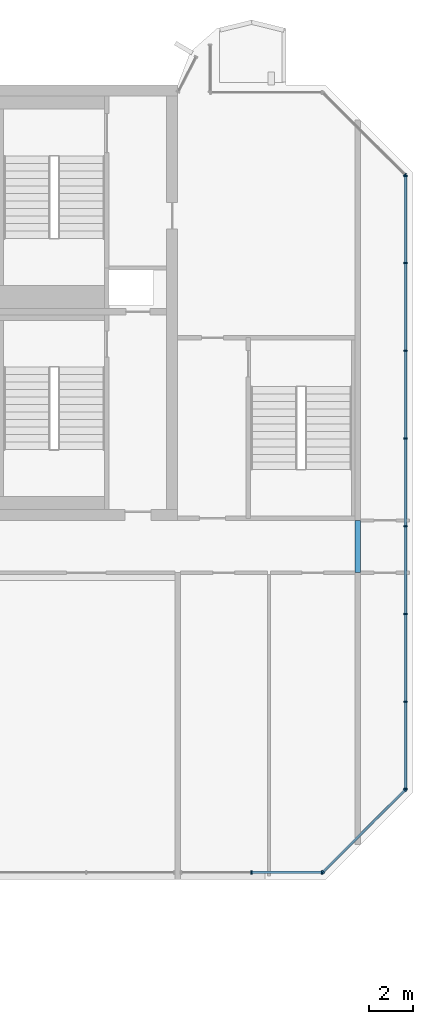
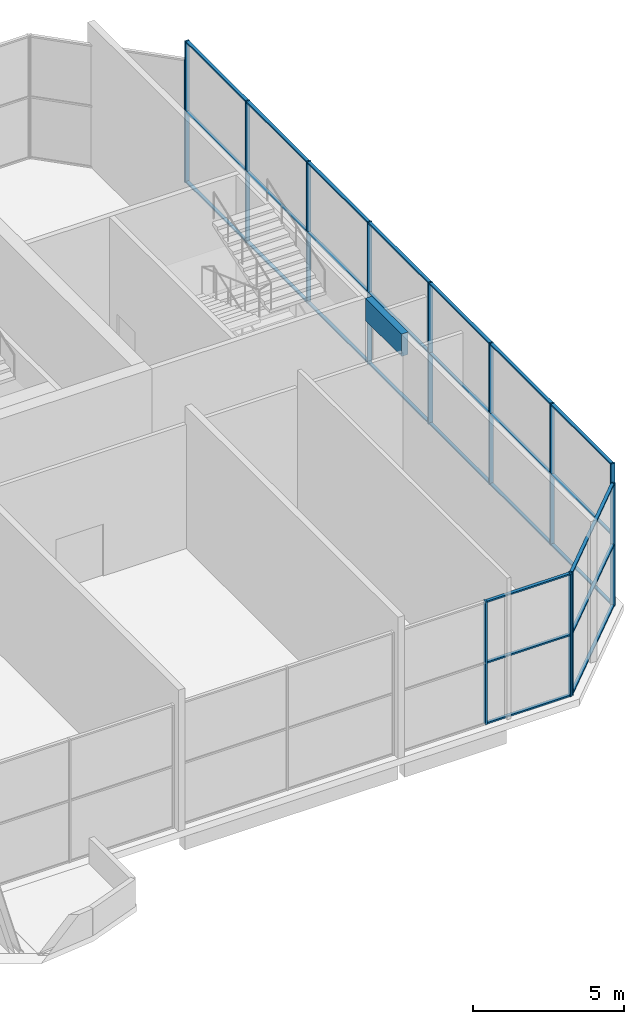
# One storey, part 8 of 17: 40 members, 1 beam, 4 elements without a shape of their own.
"""IFC4 building model written with IfcOpenShell, lengths in metres."""

from ifc_helpers import new_model, si_unit, direction, frame, origin, origin_2d, place, context, subcontext, project, spatial, rectangle, extrude, source, transform, mapped, material, material_profile, profile_set, type_object, element, aggregate, save


model = new_model("IFC4")

# Units and contexts
model_context = context("Model", 3, precision=1e-05, world=origin(), true_north=direction((0.0, 1.0)))
body_context = subcontext(model_context, "Body", "Model", "MODEL_VIEW")
ifc_project = project(units=[si_unit("LENGTHUNIT", "METRE"), si_unit("AREAUNIT", "SQUARE_METRE"), si_unit("VOLUMEUNIT", "CUBIC_METRE"), si_unit("PLANEANGLEUNIT", "RADIAN"), si_unit("MASSUNIT", "GRAM", prefix="KILO")], contexts=[model_context])

# Site, building, storey
site_placement = place(None, origin())
site = spatial("IfcSite", under=ifc_project, at=site_placement, CompositionType="ELEMENT")
building_placement = place(site_placement, origin())
building = spatial("IfcBuilding", under=site, at=building_placement, Name="Vanashikhar Sky Hotel", CompositionType="ELEMENT")
storey_placement = place(building_placement, frame((0.0, 0.0, 323.699951171875)))
storey = spatial("IfcBuildingStorey", under=building, at=storey_placement, Name="L77", CompositionType="ELEMENT", Elevation=323.699951171875)

# Beam
ifc_material_1 = material(Name="Concrete M50", Category="concrete")
ifc_material_profile_1 = material_profile(ifc_material_1, rectangle(XDim=0.25, YDim=0.89990234375, at=origin_2d()))
ifc_profile_set_1 = profile_set([ifc_material_profile_1], Name="RC 250x900 beam Concrete M50")
beam_type = type_object("IfcBeamType", Name="RC 250x900 beam Concrete M50", PredefinedType="LINTEL", material=ifc_profile_set_1)
shared_shape_1 = source(origin(), body_context, "Body", "SweptSolid", [
    extrude(rectangle(XDim=0.25, YDim=0.89990234375, at=origin_2d()), origin(), (0.0, 0.0, 1.0), 2.39990234375),
])
beam_placement = place(storey_placement, frame((83.875, 19.60009765625, 5.27001953125), z_axis=(0.0, 1.0, 0.0), x_axis=(-1.0, 0.0, 0.0)))
element("IfcBeam", 1, at=beam_placement, inside=storey, type_object=beam_type, Name="LB-L77-XW11", PredefinedType="LINTEL", context=body_context, shape_type="MappedRepresentation", body=[
    mapped(shared_shape_1, transform((0.0, 0.0, 0.0), scale=1.0)),
])

# Curtain wall, members
ifc_material_2 = material(Name="Glass", Category="glass")
curtain_wall_type = type_object("IfcCurtainWallType", Name="Sky restaurant glazing", PredefinedType="NOTDEFINED", material=ifc_material_2)
curtain_wall_1_placement = place(storey_placement, origin())
curtain_wall_1 = element("IfcCurtainWall", 2, at=curtain_wall_1_placement, inside=storey, type_object=curtain_wall_type, Name="Sky restaurant glazing", PredefinedType="NOTDEFINED")
ifc_material_3 = material(Name="Aluminium 6063-T6", Category="aluminium")
ifc_material_profile_2 = material_profile(ifc_material_3, rectangle(XDim=0.159912109375, YDim=0.06005859375, at=origin_2d()))
ifc_profile_set_2 = profile_set([ifc_material_profile_2], Name="Aluminium 6063-T6")
member_type_1 = type_object("IfcMemberType", Name="Sky restaurant mullion 60 x 160", PredefinedType="MULLION", material=ifc_profile_set_2)
shared_shape_2 = source(origin(), body_context, "Body", "SweptSolid", [
    extrude(rectangle(XDim=0.159912109375, YDim=0.06005859375, at=origin_2d()), origin(), (0.0, 0.0, 1.0), 4.969970703125),
])
member_1_placement = place(storey_placement, frame((78.9951171875, 5.824951171875, 0.0), z_axis=(0.0, 0.0, 1.0), x_axis=(0.0, 1.0, 0.0)))
member_1 = element("IfcMember", 3, at=member_1_placement, type_object=member_type_1, Name="CW-5 mullion 2", PredefinedType="MULLION", context=body_context, shape_type="MappedRepresentation", body=[
    mapped(shared_shape_2, transform((0.0, 0.0, 0.0), scale=1.0)),
])
member_2_placement = place(storey_placement, frame((82.2353515625, 5.824951171875, 0.0), z_axis=(0.0, 0.0, 1.0), x_axis=(0.0, 1.0, 0.0)))
member_2 = element("IfcMember", 4, at=member_2_placement, type_object=member_type_1, Name="CW-5 mullion 3", PredefinedType="MULLION", context=body_context, shape_type="MappedRepresentation", body=[
    mapped(shared_shape_2, transform((0.0, 0.0, 0.0), scale=1.0)),
])

curtain_wall_2_placement = place(storey_placement, origin())
curtain_wall_2 = element("IfcCurtainWall", 5, at=curtain_wall_2_placement, inside=storey, type_object=curtain_wall_type, Name="Sky restaurant glazing", PredefinedType="NOTDEFINED")
member_3_placement = place(storey_placement, frame((82.28662109375, 5.84619140625, 0.0), z_axis=(0.0, 0.0, 1.0), x_axis=(-0.707106781187, 0.707106781187, 0.0)))
member_3 = element("IfcMember", 6, at=member_3_placement, type_object=member_type_1, Name="CW-5 mullion 1", PredefinedType="MULLION", context=body_context, shape_type="MappedRepresentation", body=[
    mapped(shared_shape_2, transform((0.0, 0.0, 0.0), scale=1.0)),
])
member_4_placement = place(storey_placement, frame((86.0537109375, 9.61328125, 0.0), z_axis=(0.0, 0.0, 1.0), x_axis=(-0.707106781187, 0.707106781187, 0.0)))
member_4 = element("IfcMember", 7, at=member_4_placement, type_object=member_type_1, Name="CW-5 mullion 2", PredefinedType="MULLION", context=body_context, shape_type="MappedRepresentation", body=[
    mapped(shared_shape_2, transform((0.0, 0.0, 0.0), scale=1.0)),
])

# Curtain wall, member
curtain_wall_3_placement = place(storey_placement, origin())
curtain_wall_3 = element("IfcCurtainWall", 8, at=curtain_wall_3_placement, inside=storey, type_object=curtain_wall_type, Name="Sky restaurant glazing", PredefinedType="NOTDEFINED")
member_5_placement = place(storey_placement, frame((86.0537109375, 37.88671875, 0.0), z_axis=(0.0, 0.0, 1.0), x_axis=(-0.707106781187, -0.707106781187, 0.0)))
member_5 = element("IfcMember", 9, at=member_5_placement, type_object=member_type_1, Name="CW-5 mullion 1", PredefinedType="MULLION", context=body_context, shape_type="MappedRepresentation", body=[
    mapped(shared_shape_2, transform((0.0, 0.0, 0.0), scale=1.0)),
])
aggregate(curtain_wall_3, [member_5])

# Member
ifc_material_profile_3 = material_profile(ifc_material_3, rectangle(XDim=0.1201171875, YDim=0.06005859375, at=origin_2d()))
ifc_profile_set_3 = profile_set([ifc_material_profile_3], Name="Aluminium 6063-T6")
member_type_2 = type_object("IfcMemberType", Name="Sky restaurant transom 60 x 120", PredefinedType="USERDEFINED", material=ifc_profile_set_3)
shared_shape_3 = source(origin(), body_context, "Body", "SweptSolid", [
    extrude(rectangle(XDim=0.1201171875, YDim=0.06005859375, at=origin_2d()), origin(), (0.0, 0.0, 1.0), 3.18017578125),
])
member_6_placement = place(storey_placement, frame((79.025146484375, 5.824951171875, 0.030029296875), z_axis=(1.0, 0.0, 0.0), x_axis=(0.0, 1.0, 0.0)))
member_6 = element("IfcMember", 10, at=member_6_placement, type_object=member_type_2, Name="CW-5 transom 2.1", ObjectType="TRANSOM", PredefinedType="USERDEFINED", context=body_context, shape_type="MappedRepresentation", body=[
    mapped(shared_shape_3, transform((0.0, 0.0, 0.0), scale=1.0)),
])

member_7_placement = place(storey_placement, frame((79.025146484375, 5.824951171875, 2.485107421875), z_axis=(1.0, 0.0, 0.0), x_axis=(0.0, 1.0, 0.0)))
member_7 = element("IfcMember", 11, at=member_7_placement, type_object=member_type_2, Name="CW-5 transom 2.2", ObjectType="TRANSOM", PredefinedType="USERDEFINED", context=body_context, shape_type="MappedRepresentation", body=[
    mapped(shared_shape_3, transform((0.0, 0.0, 0.0), scale=1.0)),
])

member_8_placement = place(storey_placement, frame((79.025146484375, 5.824951171875, 4.93994140625), z_axis=(1.0, 0.0, 0.0), x_axis=(0.0, 1.0, 0.0)))
member_8 = element("IfcMember", 12, at=member_8_placement, type_object=member_type_2, Name="CW-5 transom 2.3", ObjectType="TRANSOM", PredefinedType="USERDEFINED", context=body_context, shape_type="MappedRepresentation", body=[
    mapped(shared_shape_3, transform((0.0, 0.0, 0.0), scale=1.0)),
])

aggregate(curtain_wall_1, [member_1, member_2, member_6, member_7, member_8])

# Curtain wall, members
curtain_wall_4_placement = place(storey_placement, origin())
curtain_wall_4 = element("IfcCurtainWall", 13, at=curtain_wall_4_placement, inside=storey, type_object=curtain_wall_type, Name="Sky restaurant glazing", PredefinedType="NOTDEFINED")
shared_shape_4 = source(origin(), body_context, "Body", "SweptSolid", [
    extrude(rectangle(XDim=0.159912109375, YDim=0.06005859375, at=origin_2d()), origin(), (0.0, 0.0, 1.0), 5.719970703125),
])
member_9_placement = place(storey_placement, frame((86.074951171875, 9.66455078125, 0.0), z_axis=(0.0, 0.0, 1.0), x_axis=(-1.0, 0.0, 0.0)))
member_9 = element("IfcMember", 14, at=member_9_placement, type_object=member_type_1, Name="CW-5 mullion 1", PredefinedType="MULLION", context=body_context, shape_type="MappedRepresentation", body=[
    mapped(shared_shape_4, transform((0.0, 0.0, 0.0), scale=1.0)),
])
member_10_placement = place(storey_placement, frame((86.074951171875, 13.66748046875, 0.0), z_axis=(0.0, 0.0, 1.0), x_axis=(-1.0, 0.0, 0.0)))
member_10 = element("IfcMember", 15, at=member_10_placement, type_object=member_type_1, Name="CW-5 mullion 2", PredefinedType="MULLION", context=body_context, shape_type="MappedRepresentation", body=[
    mapped(shared_shape_4, transform((0.0, 0.0, 0.0), scale=1.0)),
])
member_11_placement = place(storey_placement, frame((86.074951171875, 17.700439453125, 0.0), z_axis=(0.0, 0.0, 1.0), x_axis=(-1.0, 0.0, 0.0)))
member_11 = element("IfcMember", 16, at=member_11_placement, type_object=member_type_1, Name="CW-5 mullion 3", PredefinedType="MULLION", context=body_context, shape_type="MappedRepresentation", body=[
    mapped(shared_shape_4, transform((0.0, 0.0, 0.0), scale=1.0)),
])
member_12_placement = place(storey_placement, frame((86.074951171875, 21.7333984375, 0.0), z_axis=(0.0, 0.0, 1.0), x_axis=(-1.0, 0.0, 0.0)))
member_12 = element("IfcMember", 17, at=member_12_placement, type_object=member_type_1, Name="CW-5 mullion 4", PredefinedType="MULLION", context=body_context, shape_type="MappedRepresentation", body=[
    mapped(shared_shape_4, transform((0.0, 0.0, 0.0), scale=1.0)),
])
member_13_placement = place(storey_placement, frame((86.074951171875, 25.7666015625, 0.0), z_axis=(0.0, 0.0, 1.0), x_axis=(-1.0, 0.0, 0.0)))
member_13 = element("IfcMember", 18, at=member_13_placement, type_object=member_type_1, Name="CW-5 mullion 5", PredefinedType="MULLION", context=body_context, shape_type="MappedRepresentation", body=[
    mapped(shared_shape_4, transform((0.0, 0.0, 0.0), scale=1.0)),
])
member_14_placement = place(storey_placement, frame((86.074951171875, 29.799560546875, 0.0), z_axis=(0.0, 0.0, 1.0), x_axis=(-1.0, 0.0, 0.0)))
member_14 = element("IfcMember", 19, at=member_14_placement, type_object=member_type_1, Name="CW-5 mullion 6", PredefinedType="MULLION", context=body_context, shape_type="MappedRepresentation", body=[
    mapped(shared_shape_4, transform((0.0, 0.0, 0.0), scale=1.0)),
])
member_15_placement = place(storey_placement, frame((86.074951171875, 33.83251953125, 0.0), z_axis=(0.0, 0.0, 1.0), x_axis=(-1.0, 0.0, 0.0)))
member_15 = element("IfcMember", 20, at=member_15_placement, type_object=member_type_1, Name="CW-5 mullion 7", PredefinedType="MULLION", context=body_context, shape_type="MappedRepresentation", body=[
    mapped(shared_shape_4, transform((0.0, 0.0, 0.0), scale=1.0)),
])
member_16_placement = place(storey_placement, frame((86.074951171875, 37.83544921875, 0.0), z_axis=(0.0, 0.0, 1.0), x_axis=(-1.0, 0.0, 0.0)))
member_16 = element("IfcMember", 21, at=member_16_placement, type_object=member_type_1, Name="CW-5 mullion 8", PredefinedType="MULLION", context=body_context, shape_type="MappedRepresentation", body=[
    mapped(shared_shape_4, transform((0.0, 0.0, 0.0), scale=1.0)),
])

# Member
shared_shape_5 = source(origin(), body_context, "Body", "SweptSolid", [
    extrude(rectangle(XDim=0.1201171875, YDim=0.06005859375, at=origin_2d()), origin(), (0.0, 0.0, 1.0), 5.267578125),
])
member_17_placement = place(storey_placement, frame((82.307861328125, 5.867431640625, 0.030029296875), z_axis=(0.707083606855, 0.707129954758, 0.0), x_axis=(-0.707129954758, 0.707083606855, 0.0)))
member_17 = element("IfcMember", 22, at=member_17_placement, type_object=member_type_2, Name="CW-5 transom 1.1", ObjectType="TRANSOM", PredefinedType="USERDEFINED", context=body_context, shape_type="MappedRepresentation", body=[
    mapped(shared_shape_5, transform((0.0, 0.0, 0.0), scale=1.0)),
])

member_18_placement = place(storey_placement, frame((82.307861328125, 5.867431640625, 2.485107421875), z_axis=(0.707083606855, 0.707129954758, 0.0), x_axis=(-0.707129954758, 0.707083606855, 0.0)))
member_18 = element("IfcMember", 23, at=member_18_placement, type_object=member_type_2, Name="CW-5 transom 1.2", ObjectType="TRANSOM", PredefinedType="USERDEFINED", context=body_context, shape_type="MappedRepresentation", body=[
    mapped(shared_shape_5, transform((0.0, 0.0, 0.0), scale=1.0)),
])

member_19_placement = place(storey_placement, frame((82.307861328125, 5.867431640625, 4.93994140625), z_axis=(0.707083606855, 0.707129954758, 0.0), x_axis=(-0.707129954758, 0.707083606855, 0.0)))
member_19 = element("IfcMember", 24, at=member_19_placement, type_object=member_type_2, Name="CW-5 transom 1.3", ObjectType="TRANSOM", PredefinedType="USERDEFINED", context=body_context, shape_type="MappedRepresentation", body=[
    mapped(shared_shape_5, transform((0.0, 0.0, 0.0), scale=1.0)),
])

aggregate(curtain_wall_2, [member_3, member_4, member_17, member_18, member_19])

shared_shape_6 = source(origin(), body_context, "Body", "SweptSolid", [
    extrude(rectangle(XDim=0.1201171875, YDim=0.06005859375, at=origin_2d()), origin(), (0.0, 0.0, 1.0), 3.94287109375),
])
member_20_placement = place(storey_placement, frame((86.074951171875, 9.694580078125, 0.030029296875), z_axis=(0.0, 1.0, 0.0), x_axis=(-1.0, 0.0, 0.0)))
member_20 = element("IfcMember", 25, at=member_20_placement, type_object=member_type_2, Name="CW-5 transom 1.1", ObjectType="TRANSOM", PredefinedType="USERDEFINED", context=body_context, shape_type="MappedRepresentation", body=[
    mapped(shared_shape_6, transform((0.0, 0.0, 0.0), scale=1.0)),
])

member_21_placement = place(storey_placement, frame((86.074951171875, 9.694580078125, 2.860107421875), z_axis=(0.0, 1.0, 0.0), x_axis=(-1.0, 0.0, 0.0)))
member_21 = element("IfcMember", 26, at=member_21_placement, type_object=member_type_2, Name="CW-5 transom 1.2", ObjectType="TRANSOM", PredefinedType="USERDEFINED", context=body_context, shape_type="MappedRepresentation", body=[
    mapped(shared_shape_6, transform((0.0, 0.0, 0.0), scale=1.0)),
])

member_22_placement = place(storey_placement, frame((86.074951171875, 9.694580078125, 5.68994140625), z_axis=(0.0, 1.0, 0.0), x_axis=(-1.0, 0.0, 0.0)))
member_22 = element("IfcMember", 27, at=member_22_placement, type_object=member_type_2, Name="CW-5 transom 1.3", ObjectType="TRANSOM", PredefinedType="USERDEFINED", context=body_context, shape_type="MappedRepresentation", body=[
    mapped(shared_shape_6, transform((0.0, 0.0, 0.0), scale=1.0)),
])

member_23_placement = place(storey_placement, frame((86.074951171875, 33.862548828125, 0.030029296875), z_axis=(0.0, 1.0, 0.0), x_axis=(-1.0, 0.0, 0.0)))
member_23 = element("IfcMember", 28, at=member_23_placement, type_object=member_type_2, Name="CW-5 transom 7.1", ObjectType="TRANSOM", PredefinedType="USERDEFINED", context=body_context, shape_type="MappedRepresentation", body=[
    mapped(shared_shape_6, transform((0.0, 0.0, 0.0), scale=1.0)),
])

member_24_placement = place(storey_placement, frame((86.074951171875, 33.862548828125, 2.860107421875), z_axis=(0.0, 1.0, 0.0), x_axis=(-1.0, 0.0, 0.0)))
member_24 = element("IfcMember", 29, at=member_24_placement, type_object=member_type_2, Name="CW-5 transom 7.2", ObjectType="TRANSOM", PredefinedType="USERDEFINED", context=body_context, shape_type="MappedRepresentation", body=[
    mapped(shared_shape_6, transform((0.0, 0.0, 0.0), scale=1.0)),
])

member_25_placement = place(storey_placement, frame((86.074951171875, 33.862548828125, 5.68994140625), z_axis=(0.0, 1.0, 0.0), x_axis=(-1.0, 0.0, 0.0)))
member_25 = element("IfcMember", 30, at=member_25_placement, type_object=member_type_2, Name="CW-5 transom 7.3", ObjectType="TRANSOM", PredefinedType="USERDEFINED", context=body_context, shape_type="MappedRepresentation", body=[
    mapped(shared_shape_6, transform((0.0, 0.0, 0.0), scale=1.0)),
])

shared_shape_7 = source(origin(), body_context, "Body", "SweptSolid", [
    extrude(rectangle(XDim=0.1201171875, YDim=0.06005859375, at=origin_2d()), origin(), (0.0, 0.0, 1.0), 3.97314453125),
])
member_26_placement = place(storey_placement, frame((86.074951171875, 13.697509765625, 0.030029296875), z_axis=(0.0, 1.0, 0.0), x_axis=(-1.0, 0.0, 0.0)))
member_26 = element("IfcMember", 31, at=member_26_placement, type_object=member_type_2, Name="CW-5 transom 2.1", ObjectType="TRANSOM", PredefinedType="USERDEFINED", context=body_context, shape_type="MappedRepresentation", body=[
    mapped(shared_shape_7, transform((0.0, 0.0, 0.0), scale=1.0)),
])

member_27_placement = place(storey_placement, frame((86.074951171875, 13.697509765625, 2.860107421875), z_axis=(0.0, 1.0, 0.0), x_axis=(-1.0, 0.0, 0.0)))
member_27 = element("IfcMember", 32, at=member_27_placement, type_object=member_type_2, Name="CW-5 transom 2.2", ObjectType="TRANSOM", PredefinedType="USERDEFINED", context=body_context, shape_type="MappedRepresentation", body=[
    mapped(shared_shape_7, transform((0.0, 0.0, 0.0), scale=1.0)),
])

member_28_placement = place(storey_placement, frame((86.074951171875, 13.697509765625, 5.68994140625), z_axis=(0.0, 1.0, 0.0), x_axis=(-1.0, 0.0, 0.0)))
member_28 = element("IfcMember", 33, at=member_28_placement, type_object=member_type_2, Name="CW-5 transom 2.3", ObjectType="TRANSOM", PredefinedType="USERDEFINED", context=body_context, shape_type="MappedRepresentation", body=[
    mapped(shared_shape_7, transform((0.0, 0.0, 0.0), scale=1.0)),
])

member_29_placement = place(storey_placement, frame((86.074951171875, 17.73046875, 0.030029296875), z_axis=(0.0, 1.0, 0.0), x_axis=(-1.0, 0.0, 0.0)))
member_29 = element("IfcMember", 34, at=member_29_placement, type_object=member_type_2, Name="CW-5 transom 3.1", ObjectType="TRANSOM", PredefinedType="USERDEFINED", context=body_context, shape_type="MappedRepresentation", body=[
    mapped(shared_shape_7, transform((0.0, 0.0, 0.0), scale=1.0)),
])

member_30_placement = place(storey_placement, frame((86.074951171875, 17.73046875, 2.860107421875), z_axis=(0.0, 1.0, 0.0), x_axis=(-1.0, 0.0, 0.0)))
member_30 = element("IfcMember", 35, at=member_30_placement, type_object=member_type_2, Name="CW-5 transom 3.2", ObjectType="TRANSOM", PredefinedType="USERDEFINED", context=body_context, shape_type="MappedRepresentation", body=[
    mapped(shared_shape_7, transform((0.0, 0.0, 0.0), scale=1.0)),
])

member_31_placement = place(storey_placement, frame((86.074951171875, 17.73046875, 5.68994140625), z_axis=(0.0, 1.0, 0.0), x_axis=(-1.0, 0.0, 0.0)))
member_31 = element("IfcMember", 36, at=member_31_placement, type_object=member_type_2, Name="CW-5 transom 3.3", ObjectType="TRANSOM", PredefinedType="USERDEFINED", context=body_context, shape_type="MappedRepresentation", body=[
    mapped(shared_shape_7, transform((0.0, 0.0, 0.0), scale=1.0)),
])

member_32_placement = place(storey_placement, frame((86.074951171875, 21.763427734375, 0.030029296875), z_axis=(0.0, 1.0, 0.0), x_axis=(-1.0, 0.0, 0.0)))
member_32 = element("IfcMember", 37, at=member_32_placement, type_object=member_type_2, Name="CW-5 transom 4.1", ObjectType="TRANSOM", PredefinedType="USERDEFINED", context=body_context, shape_type="MappedRepresentation", body=[
    mapped(shared_shape_7, transform((0.0, 0.0, 0.0), scale=1.0)),
])

member_33_placement = place(storey_placement, frame((86.074951171875, 21.763427734375, 2.860107421875), z_axis=(0.0, 1.0, 0.0), x_axis=(-1.0, 0.0, 0.0)))
member_33 = element("IfcMember", 38, at=member_33_placement, type_object=member_type_2, Name="CW-5 transom 4.2", ObjectType="TRANSOM", PredefinedType="USERDEFINED", context=body_context, shape_type="MappedRepresentation", body=[
    mapped(shared_shape_7, transform((0.0, 0.0, 0.0), scale=1.0)),
])

member_34_placement = place(storey_placement, frame((86.074951171875, 21.763427734375, 5.68994140625), z_axis=(0.0, 1.0, 0.0), x_axis=(-1.0, 0.0, 0.0)))
member_34 = element("IfcMember", 39, at=member_34_placement, type_object=member_type_2, Name="CW-5 transom 4.3", ObjectType="TRANSOM", PredefinedType="USERDEFINED", context=body_context, shape_type="MappedRepresentation", body=[
    mapped(shared_shape_7, transform((0.0, 0.0, 0.0), scale=1.0)),
])

member_35_placement = place(storey_placement, frame((86.074951171875, 25.79638671875, 0.030029296875), z_axis=(0.0, 1.0, 0.0), x_axis=(-1.0, 0.0, 0.0)))
member_35 = element("IfcMember", 40, at=member_35_placement, type_object=member_type_2, Name="CW-5 transom 5.1", ObjectType="TRANSOM", PredefinedType="USERDEFINED", context=body_context, shape_type="MappedRepresentation", body=[
    mapped(shared_shape_7, transform((0.0, 0.0, 0.0), scale=1.0)),
])

member_36_placement = place(storey_placement, frame((86.074951171875, 25.79638671875, 2.860107421875), z_axis=(0.0, 1.0, 0.0), x_axis=(-1.0, 0.0, 0.0)))
member_36 = element("IfcMember", 41, at=member_36_placement, type_object=member_type_2, Name="CW-5 transom 5.2", ObjectType="TRANSOM", PredefinedType="USERDEFINED", context=body_context, shape_type="MappedRepresentation", body=[
    mapped(shared_shape_7, transform((0.0, 0.0, 0.0), scale=1.0)),
])

member_37_placement = place(storey_placement, frame((86.074951171875, 25.79638671875, 5.68994140625), z_axis=(0.0, 1.0, 0.0), x_axis=(-1.0, 0.0, 0.0)))
member_37 = element("IfcMember", 42, at=member_37_placement, type_object=member_type_2, Name="CW-5 transom 5.3", ObjectType="TRANSOM", PredefinedType="USERDEFINED", context=body_context, shape_type="MappedRepresentation", body=[
    mapped(shared_shape_7, transform((0.0, 0.0, 0.0), scale=1.0)),
])

member_38_placement = place(storey_placement, frame((86.074951171875, 29.829345703125, 0.030029296875), z_axis=(0.0, 1.0, 0.0), x_axis=(-1.0, 0.0, 0.0)))
member_38 = element("IfcMember", 43, at=member_38_placement, type_object=member_type_2, Name="CW-5 transom 6.1", ObjectType="TRANSOM", PredefinedType="USERDEFINED", context=body_context, shape_type="MappedRepresentation", body=[
    mapped(shared_shape_7, transform((0.0, 0.0, 0.0), scale=1.0)),
])

member_39_placement = place(storey_placement, frame((86.074951171875, 29.829345703125, 2.860107421875), z_axis=(0.0, 1.0, 0.0), x_axis=(-1.0, 0.0, 0.0)))
member_39 = element("IfcMember", 44, at=member_39_placement, type_object=member_type_2, Name="CW-5 transom 6.2", ObjectType="TRANSOM", PredefinedType="USERDEFINED", context=body_context, shape_type="MappedRepresentation", body=[
    mapped(shared_shape_7, transform((0.0, 0.0, 0.0), scale=1.0)),
])

member_40_placement = place(storey_placement, frame((86.074951171875, 29.829345703125, 5.68994140625), z_axis=(0.0, 1.0, 0.0), x_axis=(-1.0, 0.0, 0.0)))
member_40 = element("IfcMember", 45, at=member_40_placement, type_object=member_type_2, Name="CW-5 transom 6.3", ObjectType="TRANSOM", PredefinedType="USERDEFINED", context=body_context, shape_type="MappedRepresentation", body=[
    mapped(shared_shape_7, transform((0.0, 0.0, 0.0), scale=1.0)),
])

aggregate(curtain_wall_4, [member_9, member_10, member_11, member_12, member_13, member_14, member_15, member_16, member_20, member_21, member_22, member_26, member_27, member_28, member_29, member_30, member_31, member_32, member_33, member_34, member_35, member_36, member_37, member_38, member_39, member_40, member_23, member_24, member_25])

save(model, "model.ifc")
